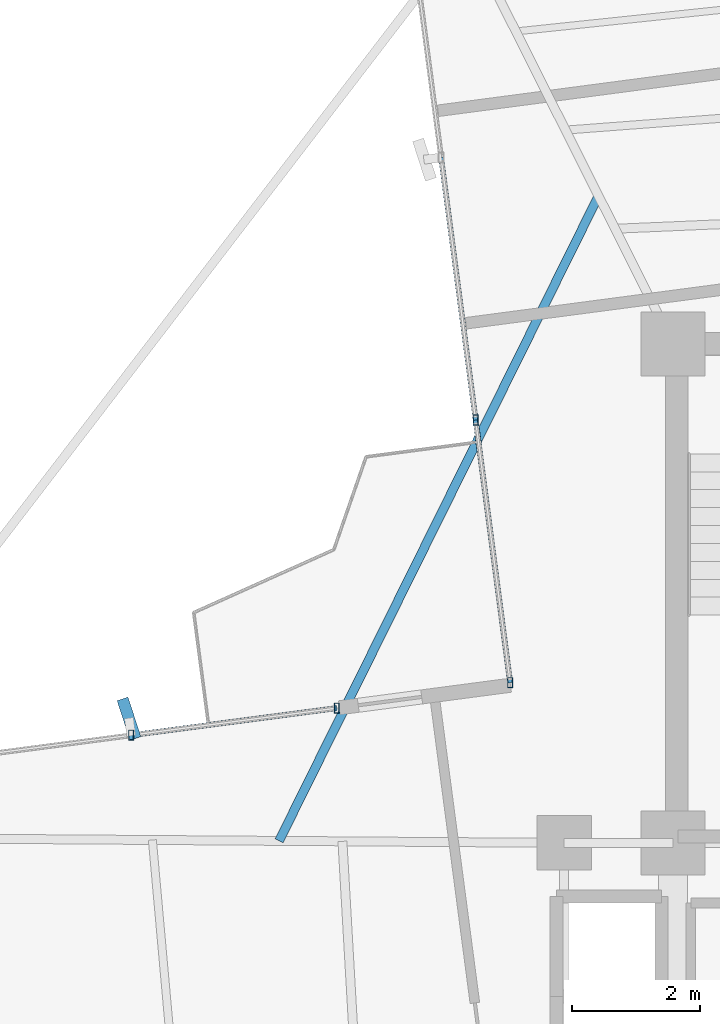
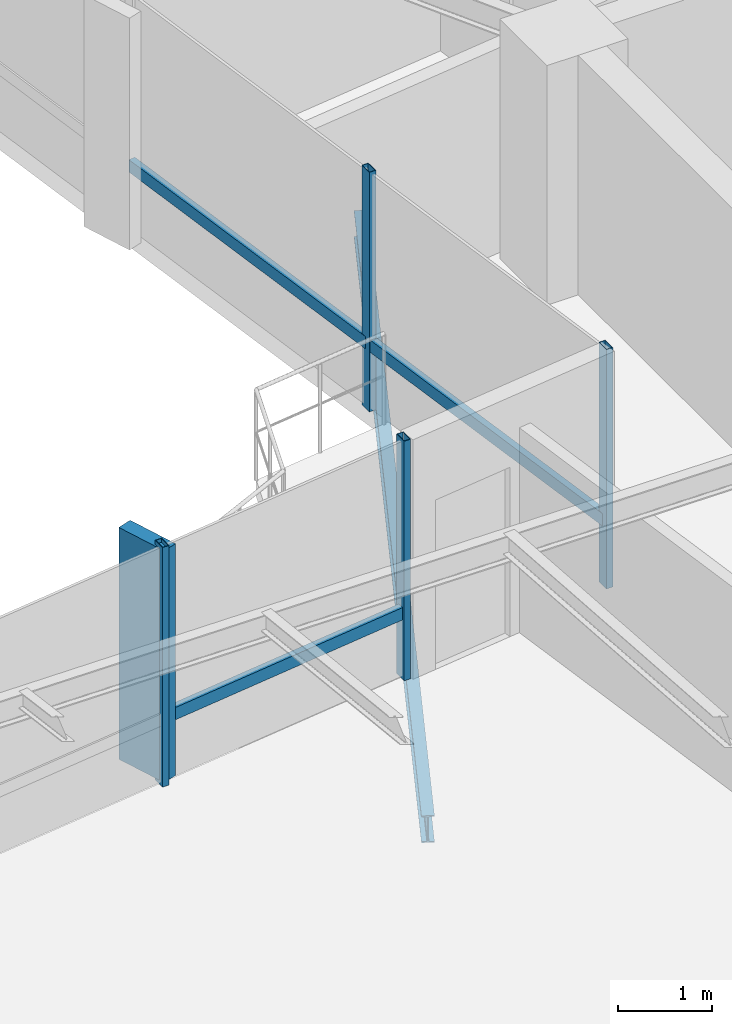
# One storey, part 8 of 21: 8 members, 1 beam, 2 elements without a shape of their own.
"""IFC4 building model written with IfcOpenShell, lengths in metres."""

from ifc_helpers import new_model, si_unit, direction, frame, origin, origin_2d, place, context, subcontext, project, spatial, rectangle, hollow_rectangle, i_section, extrude, source, transform, mapped, material, material_profile, profile_set, type_object, element, aggregate, save


model = new_model("IFC4")

# Units and contexts
model_context = context("Model", 3, precision=1e-05, world=origin(), true_north=direction((0.0, 1.0)))
body_context = subcontext(model_context, "Body", "Model", "MODEL_VIEW")
ifc_project = project(units=[si_unit("LENGTHUNIT", "METRE"), si_unit("AREAUNIT", "SQUARE_METRE"), si_unit("VOLUMEUNIT", "CUBIC_METRE"), si_unit("PLANEANGLEUNIT", "RADIAN"), si_unit("MASSUNIT", "GRAM", prefix="KILO")], contexts=[model_context])

# Site, building, storey
site_placement = place(None, origin())
site = spatial("IfcSite", under=ifc_project, at=site_placement, CompositionType="ELEMENT")
building_placement = place(site_placement, origin())
building = spatial("IfcBuilding", under=site, at=building_placement, Name="Sahyath Konkavel Grand Hotel", CompositionType="ELEMENT")
storey_placement = place(building_placement, frame((0.0, 0.0, 213.199951171875)))
storey = spatial("IfcBuildingStorey", under=building, at=storey_placement, Name="L59", CompositionType="ELEMENT", Elevation=213.199951171875)

# Curtain wall, member
ifc_material_1 = material(Name="Anodised Bronze Aluminium & Low-E Glazing", Category="aluminium")
curtain_wall_type = type_object("IfcCurtainWallType", Name="CW-ZONE4", PredefinedType="NOTDEFINED", material=ifc_material_1)
curtain_wall_1_placement = place(storey_placement, origin())
curtain_wall_1 = element("IfcCurtainWall", 1, at=curtain_wall_1_placement, inside=storey, type_object=curtain_wall_type, Name="L59 Unitised Curtain Wall F16", PredefinedType="NOTDEFINED")
ifc_material_2 = material(Name="Warm Buff Sandstone Cladding on Concrete C50/60", Category="masonry")
ifc_material_profile_1 = material_profile(ifc_material_2, rectangle(XDim=0.179931640625, YDim=0.64990234375, at=origin_2d()), Name="FIN 180x650")
ifc_profile_set_1 = profile_set([ifc_material_profile_1], Name="Warm Buff Sandstone Cladding on Concrete C50/60")
member_type_1 = type_object("IfcMemberType", Name="FIN-SANDSTONE-650", PredefinedType="MULLION", material=ifc_profile_set_1)
shared_shape_1 = source(origin(), body_context, "Body", "SweptSolid", [
    extrude(rectangle(XDim=0.179931640625, YDim=0.64990234375, at=origin_2d()), origin(), (0.0, 0.0, 1.0), 3.010009765625),
])
member_1_placement = place(storey_placement, frame((-12.302001953125, 4.341552734375, 0.050048828125), z_axis=(0.0, 0.0, 1.0), x_axis=(0.951272019071, 0.30835295642, 0.0)))
member_1 = element("IfcMember", 2, at=member_1_placement, type_object=member_type_1, Name="L59 Sandstone Vertical Solar Fin FIN F16-1", PredefinedType="MULLION", context=body_context, shape_type="MappedRepresentation", body=[
    mapped(shared_shape_1, transform((0.0, 0.0, 0.0), scale=1.0)),
])

# Curtain wall, members
curtain_wall_2_placement = place(storey_placement, origin())
curtain_wall_2 = element("IfcCurtainWall", 3, at=curtain_wall_2_placement, inside=storey, type_object=curtain_wall_type, Name="L59 Unitised Curtain Wall F15", PredefinedType="NOTDEFINED")
ifc_material_3 = material(Name="Anodised Bronze Aluminium", Category="aluminium")
ifc_material_profile_2 = material_profile(ifc_material_3, hollow_rectangle(XDim=0.080078125, YDim=0.159912109375, WallThickness=0.006103515625, at=origin_2d()), Name="RHS 160x80x6")
ifc_profile_set_2 = profile_set([ifc_material_profile_2], Name="Anodised Bronze Aluminium")
member_type_2 = type_object("IfcMemberType", Name="CW-MUL-160", PredefinedType="MULLION", material=ifc_profile_set_2)
shared_shape_2 = source(origin(), body_context, "Body", "SweptSolid", [
    extrude(hollow_rectangle(XDim=0.080078125, YDim=0.159912109375, WallThickness=0.006103515625, at=origin_2d()), origin(), (0.0, 0.0, 1.0), 3.110107421875),
])
member_2_placement = place(storey_placement, frame((-6.884765625, 9.008544921875, 0.0), z_axis=(0.0, 0.0, 1.0), x_axis=(1.0, 0.0, 0.0)))
member_2 = element("IfcMember", 4, at=member_2_placement, type_object=member_type_2, Name="L59 Curtain Wall Mullion F15-2", PredefinedType="MULLION", context=body_context, shape_type="MappedRepresentation", body=[
    mapped(shared_shape_2, transform((0.0, 0.0, 0.0), scale=1.0)),
])
member_3_placement = place(storey_placement, frame((-6.34423828125, 4.90380859375, 0.0), z_axis=(0.0, 0.0, 1.0), x_axis=(1.0, 0.0, 0.0)))
member_3 = element("IfcMember", 5, at=member_3_placement, type_object=member_type_2, Name="L59 Curtain Wall Mullion F15-3", PredefinedType="MULLION", context=body_context, shape_type="MappedRepresentation", body=[
    mapped(shared_shape_2, transform((0.0, 0.0, 0.0), scale=1.0)),
])

# Member
member_4_placement = place(storey_placement, frame((-9.0556640625, 4.506591796875, 0.0), z_axis=(0.0, 0.0, 1.0), x_axis=(1.0, 0.0, 0.0)))
member_4 = element("IfcMember", 6, at=member_4_placement, type_object=member_type_2, Name="L59 Curtain Wall Mullion F16-0", PredefinedType="MULLION", context=body_context, shape_type="MappedRepresentation", body=[
    mapped(shared_shape_2, transform((0.0, 0.0, 0.0), scale=1.0)),
])

member_5_placement = place(storey_placement, frame((-12.26806640625, 4.083740234375, 0.0), z_axis=(0.0, 0.0, 1.0), x_axis=(1.0, 0.0, 0.0)))
member_5 = element("IfcMember", 7, at=member_5_placement, type_object=member_type_2, Name="L59 Curtain Wall Mullion F16-1", PredefinedType="MULLION", context=body_context, shape_type="MappedRepresentation", body=[
    mapped(shared_shape_2, transform((0.0, 0.0, 0.0), scale=1.0)),
])

ifc_material_profile_3 = material_profile(ifc_material_3, hollow_rectangle(XDim=0.080078125, YDim=0.159912109375, WallThickness=0.006103515625, at=origin_2d()), Name="RHS 160x80x6")
ifc_profile_set_3 = profile_set([ifc_material_profile_3], Name="Anodised Bronze Aluminium")
member_type_3 = type_object("IfcMemberType", Name="CW-TRN-160", PredefinedType="USERDEFINED", material=ifc_profile_set_3)
shared_shape_3 = source(origin(), body_context, "Body", "SweptSolid", [
    extrude(hollow_rectangle(XDim=0.080078125, YDim=0.159912109375, WallThickness=0.006103515625, at=origin_2d()), origin(), (0.0, 0.0, 1.0), 3.240234375),
])
member_6_placement = place(storey_placement, frame((-9.0556640625, 4.506591796875, 0.85009765625), z_axis=(-0.991447626157, -0.130505189885, 0.0), x_axis=(0.130505189885, -0.991447626157, 0.0)))
member_6 = element("IfcMember", 8, at=member_6_placement, type_object=member_type_3, Name="L59 Curtain Wall Transom F16-0-spandrel", ObjectType="TRANSOM", PredefinedType="USERDEFINED", context=body_context, shape_type="MappedRepresentation", body=[
    mapped(shared_shape_3, transform((0.0, 0.0, 0.0), scale=1.0)),
])

aggregate(curtain_wall_1, [member_4, member_5, member_1, member_6])

shared_shape_4 = source(origin(), body_context, "Body", "SweptSolid", [
    extrude(hollow_rectangle(XDim=0.080078125, YDim=0.159912109375, WallThickness=0.006103515625, at=origin_2d()), origin(), (0.0, 0.0, 1.0), 4.139892578125),
])
member_7_placement = place(storey_placement, frame((-7.425048828125, 13.113037109375, 0.85009765625), z_axis=(0.130506379383, -0.991447469582, 0.0), x_axis=(0.991447469582, 0.130506379383, 0.0)))
member_7 = element("IfcMember", 9, at=member_7_placement, type_object=member_type_3, Name="L59 Curtain Wall Transom F15-1-spandrel", ObjectType="TRANSOM", PredefinedType="USERDEFINED", context=body_context, shape_type="MappedRepresentation", body=[
    mapped(shared_shape_4, transform((0.0, 0.0, 0.0), scale=1.0)),
])

shared_shape_5 = source(origin(), body_context, "Body", "SweptSolid", [
    extrude(hollow_rectangle(XDim=0.080078125, YDim=0.159912109375, WallThickness=0.006103515625, at=origin_2d()), origin(), (0.0, 0.0, 1.0), 4.14013671875),
])
member_8_placement = place(storey_placement, frame((-6.884765625, 9.008544921875, 0.85009765625), z_axis=(0.130556713596, -0.99144084268, 0.0), x_axis=(0.99144084268, 0.130556713596, 0.0)))
member_8 = element("IfcMember", 10, at=member_8_placement, type_object=member_type_3, Name="L59 Curtain Wall Transom F15-2-spandrel", ObjectType="TRANSOM", PredefinedType="USERDEFINED", context=body_context, shape_type="MappedRepresentation", body=[
    mapped(shared_shape_5, transform((0.0, 0.0, 0.0), scale=1.0)),
])

aggregate(curtain_wall_2, [member_2, member_3, member_7, member_8])

# Beam
ifc_material_4 = material(Name="Steel E350", Category="steel")
ifc_material_profile_4 = material_profile(ifc_material_4, i_section(OverallWidth=0.139892578125, OverallDepth=0.35009765625, WebThickness=0.008056640625, FlangeThickness=0.01416015625, FilletRadius=0.013916015625, at=origin_2d()), Name="ISMB 350")
ifc_profile_set_4 = profile_set([ifc_material_profile_4], Name="Steel E350")
beam_type = type_object("IfcBeamType", Name="BM-BALC-CANT", PredefinedType="BEAM", material=ifc_profile_set_4)
shared_shape_6 = source(origin(), body_context, "Body", "SweptSolid", [
    extrude(i_section(OverallWidth=0.139892578125, OverallDepth=0.35009765625, WebThickness=0.008056640625, FlangeThickness=0.01416015625, FilletRadius=0.013916015625, at=origin_2d()), origin(), (0.0, 0.0, 1.0), 11.25),
])
beam_placement = place(storey_placement, frame((-4.962890625, 12.512939453125, -0.4150390625), z_axis=(-0.443833696027, -0.896109173188, 0.0), x_axis=(0.896109173188, -0.443833696027, 0.0)))
element("IfcBeam", 11, at=beam_placement, inside=storey, type_object=beam_type, Name="L59 Balcony Cantilever Support Beam NW", PredefinedType="BEAM", context=body_context, shape_type="MappedRepresentation", body=[
    mapped(shared_shape_6, transform((0.0, 0.0, 0.0), scale=1.0)),
])

save(model, "model.ifc")
